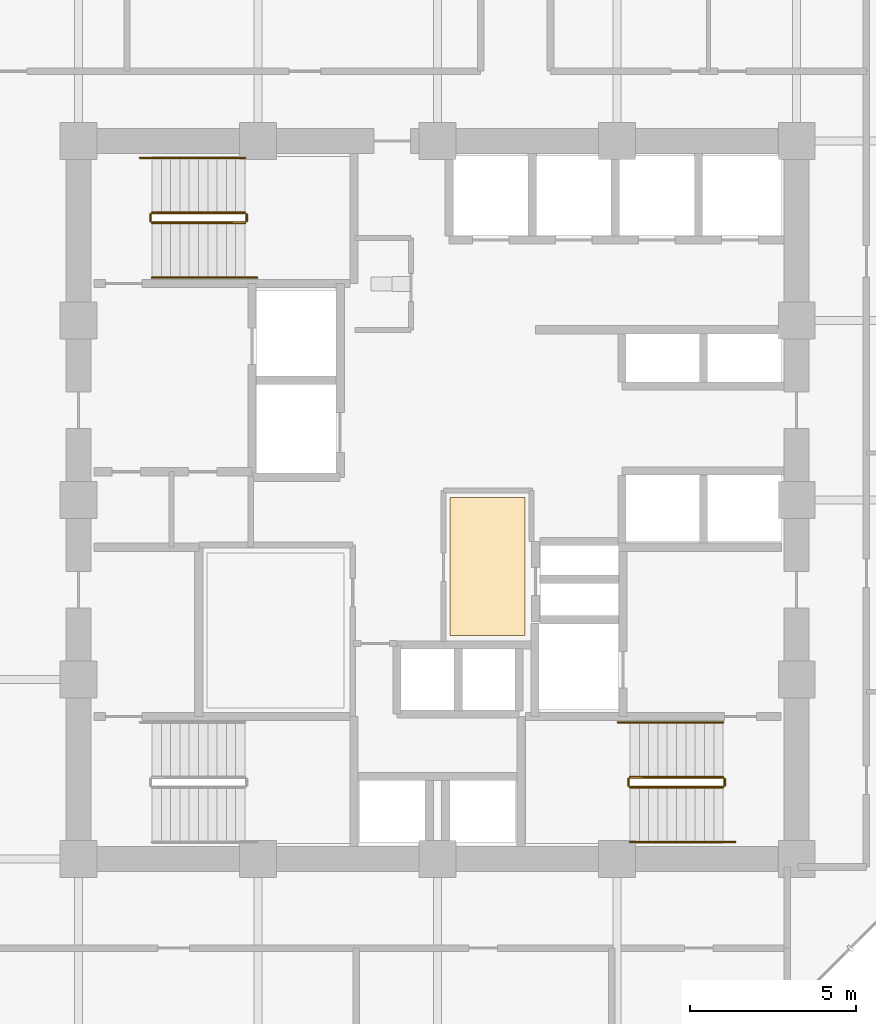
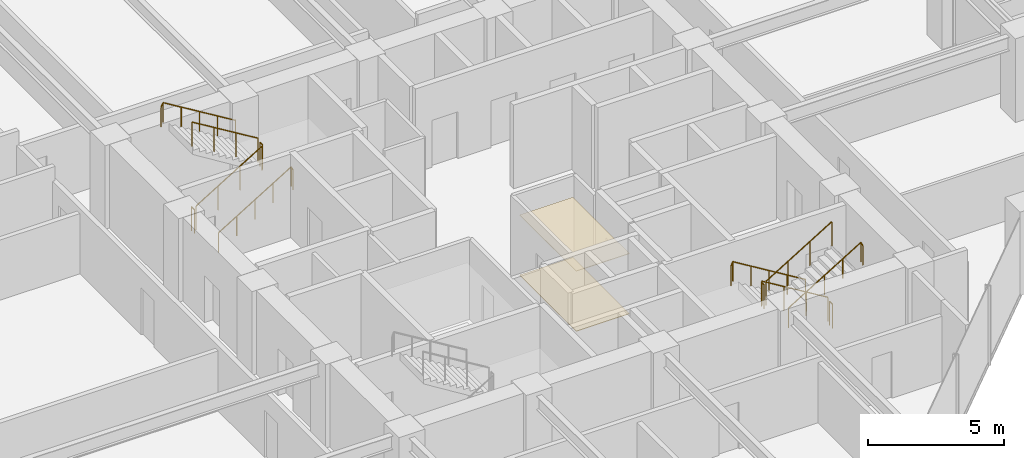
# One storey, part 27 of 29: 12 railings, 2 coverings.
"""IFC4 building model written with IfcOpenShell, lengths in metres."""

from ifc_helpers import new_model, si_unit, direction, frame, origin, origin_2d, place, context, subcontext, project, spatial, polyline, circle, outline, extrude, material, layer, layer_set, type_object, element, save


model = new_model("IFC4")

# Units and contexts
model_context = context("Model", 3, precision=1e-05, world=origin(), true_north=direction((0.0, 1.0)))
body_context = subcontext(model_context, "Body", "Model", "MODEL_VIEW")
ifc_project = project(units=[si_unit("LENGTHUNIT", "METRE"), si_unit("AREAUNIT", "SQUARE_METRE"), si_unit("VOLUMEUNIT", "CUBIC_METRE"), si_unit("PLANEANGLEUNIT", "RADIAN"), si_unit("MASSUNIT", "GRAM", prefix="KILO")], contexts=[model_context])

# Site, building, storey
site_placement = place(None, origin())
site = spatial("IfcSite", under=ifc_project, at=site_placement, CompositionType="ELEMENT")
building_placement = place(site_placement, origin())
building = spatial("IfcBuilding", under=site, at=building_placement, Name="Surkhivell Harbour Commons", CompositionType="ELEMENT")
storey_placement = place(building_placement, frame((0.0, 0.0, 87.0)))
storey = spatial("IfcBuildingStorey", under=building, at=storey_placement, Name="L22", CompositionType="ELEMENT", Elevation=87.0)

# Coverings
ifc_material_1 = material(Name="Perforated acoustic mineral-fibre ceiling tile", Category="other")
ifc_layer_1 = layer(ifc_material_1, 0.02490234375)
ifc_layer_set_1 = layer_set([ifc_layer_1], Name="Perforated acoustic mineral-fibre ceiling tile")
covering_type_1 = type_object("IfcCoveringType", Name="COV-CEIL-AC", PredefinedType="CEILING", material=ifc_layer_set_1)
covering_1_placement = place(storey_placement, frame((0.0, 0.0, 2.694091796875)))
element("IfcCovering", 1, at=covering_1_placement, inside=storey, type_object=covering_type_1, Name="L22 Suspended Acoustic Ceiling 1", PredefinedType="CEILING", context=body_context, shape_type="SweptSolid", body=[
    extrude(outline(polyline([(0.3701171875, -4.080078125), (2.6298828125, -4.080078125), (2.6298828125, 0.080078125), (0.3701171875, 0.080078125), (0.3701171875, -4.080078125)])), origin(), (0.0, 0.0, 1.0), 0.02490234375),
])
ifc_material_2 = material(Name="Engineered acoustic oak timber flooring", Category="wood")
ifc_layer_2 = layer(ifc_material_2, 0.02001953125)
ifc_layer_set_2 = layer_set([ifc_layer_2], Name="Engineered acoustic oak timber flooring")
covering_type_2 = type_object("IfcCoveringType", Name="COV-FLR-TIM", PredefinedType="FLOORING", material=ifc_layer_set_2)
covering_2_placement = place(storey_placement, origin())
element("IfcCovering", 2, at=covering_2_placement, inside=storey, type_object=covering_type_2, Name="L22 Interior Floor Finish 1", PredefinedType="FLOORING", context=body_context, shape_type="SweptSolid", body=[
    extrude(outline(polyline([(0.3701171875, -4.080078125), (2.6298828125, -4.080078125), (2.6298828125, 0.080078125), (0.3701171875, 0.080078125), (0.3701171875, -4.080078125)])), origin(), (0.0, 0.0, 1.0), 0.02001953125),
])

# Railings
ifc_material_3 = material(Name="Galvanised and painted steel S355 guard rail", Category="steel")
railing_type_1 = type_object("IfcRailingType", Name="RAL-ST-GRD1100", PredefinedType="GUARDRAIL", material=ifc_material_3)
railing_1_placement = place(storey_placement, frame((-8.590087890625, 8.340087890625, 0.17041015625)))
element("IfcRailing", 3, at=railing_1_placement, inside=storey, type_object=railing_type_1, Name="L22 ST1 stair guard 1", PredefinedType="GUARDRAIL", context=body_context, shape_type="SweptSolid", body=[
    extrude(circle(Radius=0.02392578125, at=origin_2d()), frame((0.0, 0.0, 1.076171875), z_axis=(0.854169791009, 0.0, 0.51999420009), x_axis=(0.0, 1.0, 0.0)), (0.0, 0.0, 1.0), 3.278076171875),
    extrude(circle(Radius=0.02099609375, at=origin_2d()), origin(), (0.0, 0.0, 1.0), 1.052001953125),
    extrude(circle(Radius=0.02099609375, at=origin_2d()), frame((0.933349609375, 0.0, 0.568115234375)), (0.0, 0.0, 1.0), 1.052001953125),
    extrude(circle(Radius=0.02099609375, at=origin_2d()), frame((1.86669921875, 0.0, 1.136474609375)), (0.0, 0.0, 1.0), 1.052001953125),
    extrude(circle(Radius=0.02099609375, at=origin_2d()), frame((2.800048828125, 0.0, 1.70458984375)), (0.0, 0.0, 1.0), 1.052001953125),
])
railing_2_placement = place(storey_placement, frame((-5.739990234375, 8.389892578125, 1.875)))
element("IfcRailing", 4, at=railing_2_placement, inside=storey, type_object=railing_type_1, Name="L22 ST1 stair guard 2", PredefinedType="GUARDRAIL", context=body_context, shape_type="SweptSolid", body=[
    extrude(circle(Radius=0.02392578125, at=origin_2d()), frame((0.0, 0.0, 1.076171875), z_axis=(0.0, 1.0, 0.0), x_axis=(-1.0, 0.0, 0.0)), (0.0, 0.0, 1.0), 0.2001953125),
    extrude(circle(Radius=0.02099609375, at=origin_2d()), origin(), (0.0, 0.0, 1.0), 1.052001953125),
    extrude(circle(Radius=0.02099609375, at=origin_2d()), frame((0.0, 0.2001953125, 0.0)), (0.0, 0.0, 1.0), 1.052001953125),
])
railing_3_placement = place(storey_placement, frame((-5.7900390625, 8.639892578125, 2.04541015625)))
element("IfcRailing", 5, at=railing_3_placement, inside=storey, type_object=railing_type_1, Name="L22 ST1 stair guard 3", PredefinedType="GUARDRAIL", context=body_context, shape_type="SweptSolid", body=[
    extrude(circle(Radius=0.02392578125, at=origin_2d()), frame((0.0, 0.0, 1.076171875), z_axis=(-0.854169791009, 0.0, 0.51999420009), x_axis=(0.0, -1.0, 0.0)), (0.0, 0.0, 1.0), 3.278076171875),
    extrude(circle(Radius=0.02099609375, at=origin_2d()), origin(), (0.0, 0.0, 1.0), 1.052001953125),
    extrude(circle(Radius=0.02099609375, at=origin_2d()), frame((-0.933349609375, 0.0, 0.568115234375)), (0.0, 0.0, 1.0), 1.052001953125),
    extrude(circle(Radius=0.02099609375, at=origin_2d()), frame((-1.86669921875, 0.0, 1.136474609375)), (0.0, 0.0, 1.0), 1.052001953125),
    extrude(circle(Radius=0.02099609375, at=origin_2d()), frame((-2.800048828125, 0.0, 1.70458984375)), (0.0, 0.0, 1.0), 1.052001953125),
])
railing_4_placement = place(storey_placement, frame((-8.639892578125, 8.389892578125, 0.0)))
element("IfcRailing", 6, at=railing_4_placement, inside=storey, type_object=railing_type_1, Name="L22 ST1 stair guard 4", PredefinedType="GUARDRAIL", context=body_context, shape_type="SweptSolid", body=[
    extrude(circle(Radius=0.02392578125, at=origin_2d()), frame((0.0, 0.0, 1.076171875), z_axis=(0.0, 1.0, 0.0), x_axis=(-1.0, 0.0, 0.0)), (0.0, 0.0, 1.0), 0.2001953125),
    extrude(circle(Radius=0.02099609375, at=origin_2d()), origin(), (0.0, 0.0, 1.0), 1.052001953125),
    extrude(circle(Radius=0.02099609375, at=origin_2d()), frame((0.0, 0.2001953125, 0.0)), (0.0, 0.0, 1.0), 1.052001953125),
])
railing_5_placement = place(storey_placement, frame((8.590087890625, -8.340087890625, 0.17041015625)))
element("IfcRailing", 7, at=railing_5_placement, inside=storey, type_object=railing_type_1, Name="L22 ST2 stair guard 1", PredefinedType="GUARDRAIL", context=body_context, shape_type="SweptSolid", body=[
    extrude(circle(Radius=0.02392578125, at=origin_2d()), frame((0.0, 0.0, 1.076171875), z_axis=(-0.854169791009, 0.0, 0.51999420009), x_axis=(0.0, -1.0, 0.0)), (0.0, 0.0, 1.0), 3.278076171875),
    extrude(circle(Radius=0.02099609375, at=origin_2d()), origin(), (0.0, 0.0, 1.0), 1.052001953125),
    extrude(circle(Radius=0.02099609375, at=origin_2d()), frame((-0.933349609375, 0.0, 0.568115234375)), (0.0, 0.0, 1.0), 1.052001953125),
    extrude(circle(Radius=0.02099609375, at=origin_2d()), frame((-1.86669921875, 0.0, 1.136474609375)), (0.0, 0.0, 1.0), 1.052001953125),
    extrude(circle(Radius=0.02099609375, at=origin_2d()), frame((-2.800048828125, 0.0, 1.70458984375)), (0.0, 0.0, 1.0), 1.052001953125),
])
railing_6_placement = place(storey_placement, frame((5.739990234375, -8.389892578125, 1.875)))
element("IfcRailing", 8, at=railing_6_placement, inside=storey, type_object=railing_type_1, Name="L22 ST2 stair guard 2", PredefinedType="GUARDRAIL", context=body_context, shape_type="SweptSolid", body=[
    extrude(circle(Radius=0.02392578125, at=origin_2d()), frame((0.0, 0.0, 1.076171875), z_axis=(0.0, -1.0, 0.0), x_axis=(1.0, 0.0, 0.0)), (0.0, 0.0, 1.0), 0.2001953125),
    extrude(circle(Radius=0.02099609375, at=origin_2d()), origin(), (0.0, 0.0, 1.0), 1.052001953125),
    extrude(circle(Radius=0.02099609375, at=origin_2d()), frame((0.0, -0.2001953125, 0.0)), (0.0, 0.0, 1.0), 1.052001953125),
])
railing_7_placement = place(storey_placement, frame((5.7900390625, -8.639892578125, 2.04541015625)))
element("IfcRailing", 9, at=railing_7_placement, inside=storey, type_object=railing_type_1, Name="L22 ST2 stair guard 3", PredefinedType="GUARDRAIL", context=body_context, shape_type="SweptSolid", body=[
    extrude(circle(Radius=0.02392578125, at=origin_2d()), frame((0.0, 0.0, 1.076171875), z_axis=(0.854169791009, 0.0, 0.51999420009), x_axis=(0.0, 1.0, 0.0)), (0.0, 0.0, 1.0), 3.278076171875),
    extrude(circle(Radius=0.02099609375, at=origin_2d()), origin(), (0.0, 0.0, 1.0), 1.052001953125),
    extrude(circle(Radius=0.02099609375, at=origin_2d()), frame((0.933349609375, 0.0, 0.568115234375)), (0.0, 0.0, 1.0), 1.052001953125),
    extrude(circle(Radius=0.02099609375, at=origin_2d()), frame((1.86669921875, 0.0, 1.136474609375)), (0.0, 0.0, 1.0), 1.052001953125),
    extrude(circle(Radius=0.02099609375, at=origin_2d()), frame((2.800048828125, 0.0, 1.70458984375)), (0.0, 0.0, 1.0), 1.052001953125),
])
railing_8_placement = place(storey_placement, frame((8.639892578125, -8.389892578125, 0.0)))
element("IfcRailing", 10, at=railing_8_placement, inside=storey, type_object=railing_type_1, Name="L22 ST2 stair guard 4", PredefinedType="GUARDRAIL", context=body_context, shape_type="SweptSolid", body=[
    extrude(circle(Radius=0.02392578125, at=origin_2d()), frame((0.0, 0.0, 1.076171875), z_axis=(0.0, -1.0, 0.0), x_axis=(1.0, 0.0, 0.0)), (0.0, 0.0, 1.0), 0.2001953125),
    extrude(circle(Radius=0.02099609375, at=origin_2d()), origin(), (0.0, 0.0, 1.0), 1.052001953125),
    extrude(circle(Radius=0.02099609375, at=origin_2d()), frame((0.0, -0.2001953125, 0.0)), (0.0, 0.0, 1.0), 1.052001953125),
])
ifc_material_4 = material(Name="Brushed stainless steel S355 handrail", Category="steel")
railing_type_2 = type_object("IfcRailingType", Name="RAL-ST-HND900", PredefinedType="HANDRAIL", material=ifc_material_4)
railing_9_placement = place(storey_placement, frame((-8.590087890625, 6.68994140625, 0.17041015625)))
element("IfcRailing", 11, at=railing_9_placement, inside=storey, type_object=railing_type_2, Name="L22 ST1 stair handrail 1", PredefinedType="HANDRAIL", context=body_context, shape_type="SweptSolid", body=[
    extrude(circle(Radius=0.02392578125, at=origin_2d()), frame((0.0, 0.0, 0.8759765625), z_axis=(0.854177636135, 0.0, 0.519981313056), x_axis=(0.0, 1.0, 0.0)), (0.0, 0.0, 1.0), 3.60595703125),
    extrude(circle(Radius=0.02392578125, at=origin_2d()), frame((3.080078125, 0.0, 2.7509765625), z_axis=(0.425297416671, 0.0, -0.905053648892), x_axis=(0.0, 1.0, 0.0)), (0.0, 0.0, 1.0), 0.188232421875),
    extrude(circle(Radius=0.02099609375, at=origin_2d()), origin(), (0.0, 0.0, 1.0), 0.851806640625),
    extrude(circle(Radius=0.02099609375, at=origin_2d()), frame((0.77001953125, 0.0, 0.46875)), (0.0, 0.0, 1.0), 0.851806640625),
    extrude(circle(Radius=0.02099609375, at=origin_2d()), frame((1.5400390625, 0.0, 0.9375)), (0.0, 0.0, 1.0), 0.851806640625),
    extrude(circle(Radius=0.02099609375, at=origin_2d()), frame((2.31005859375, 0.0, 1.40625)), (0.0, 0.0, 1.0), 0.851806640625),
    extrude(circle(Radius=0.02099609375, at=origin_2d()), frame((3.080078125, 0.0, 1.875)), (0.0, 0.0, 1.0), 0.851806640625),
    extrude(circle(Radius=0.02099609375, at=origin_2d()), frame((3.16015625, 0.0, 1.70458984375)), (0.0, 0.0, 1.0), 0.851806640625),
])
railing_10_placement = place(storey_placement, frame((-5.7900390625, 10.2900390625, 2.04541015625)))
element("IfcRailing", 12, at=railing_10_placement, inside=storey, type_object=railing_type_2, Name="L22 ST1 stair handrail 2", PredefinedType="HANDRAIL", context=body_context, shape_type="SweptSolid", body=[
    extrude(circle(Radius=0.02392578125, at=origin_2d()), frame((0.0, 0.0, 0.8759765625), z_axis=(-0.854177636135, 0.0, 0.519981313056), x_axis=(0.0, -1.0, 0.0)), (0.0, 0.0, 1.0), 3.60595703125),
    extrude(circle(Radius=0.02392578125, at=origin_2d()), frame((-3.080078125, 0.0, 2.7509765625), z_axis=(-0.424234432967, 0.0, -0.905552398199), x_axis=(0.0, -1.0, 0.0)), (0.0, 0.0, 1.0), 0.188232421875),
    extrude(circle(Radius=0.02099609375, at=origin_2d()), origin(), (0.0, 0.0, 1.0), 0.851806640625),
    extrude(circle(Radius=0.02099609375, at=origin_2d()), frame((-0.77001953125, 0.0, 0.46875)), (0.0, 0.0, 1.0), 0.851806640625),
    extrude(circle(Radius=0.02099609375, at=origin_2d()), frame((-1.5400390625, 0.0, 0.9375)), (0.0, 0.0, 1.0), 0.851806640625),
    extrude(circle(Radius=0.02099609375, at=origin_2d()), frame((-2.31005859375, 0.0, 1.40625)), (0.0, 0.0, 1.0), 0.851806640625),
    extrude(circle(Radius=0.02099609375, at=origin_2d()), frame((-3.080078125, 0.0, 1.875)), (0.0, 0.0, 1.0), 0.851806640625),
    extrude(circle(Radius=0.02099609375, at=origin_2d()), frame((-3.159912109375, 0.0, 1.70458984375)), (0.0, 0.0, 1.0), 0.851806640625),
])
railing_11_placement = place(storey_placement, frame((8.590087890625, -6.68994140625, 0.17041015625)))
element("IfcRailing", 13, at=railing_11_placement, inside=storey, type_object=railing_type_2, Name="L22 ST2 stair handrail 1", PredefinedType="HANDRAIL", context=body_context, shape_type="SweptSolid", body=[
    extrude(circle(Radius=0.02392578125, at=origin_2d()), frame((0.0, 0.0, 0.8759765625), z_axis=(-0.854177636135, 0.0, 0.519981313056), x_axis=(0.0, -1.0, 0.0)), (0.0, 0.0, 1.0), 3.60595703125),
    extrude(circle(Radius=0.02392578125, at=origin_2d()), frame((-3.080078125, 0.0, 2.7509765625), z_axis=(-0.425297416671, 0.0, -0.905053648892), x_axis=(0.0, -1.0, 0.0)), (0.0, 0.0, 1.0), 0.188232421875),
    extrude(circle(Radius=0.02099609375, at=origin_2d()), origin(), (0.0, 0.0, 1.0), 0.851806640625),
    extrude(circle(Radius=0.02099609375, at=origin_2d()), frame((-0.77001953125, 0.0, 0.46875)), (0.0, 0.0, 1.0), 0.851806640625),
    extrude(circle(Radius=0.02099609375, at=origin_2d()), frame((-1.5400390625, 0.0, 0.9375)), (0.0, 0.0, 1.0), 0.851806640625),
    extrude(circle(Radius=0.02099609375, at=origin_2d()), frame((-2.31005859375, 0.0, 1.40625)), (0.0, 0.0, 1.0), 0.851806640625),
    extrude(circle(Radius=0.02099609375, at=origin_2d()), frame((-3.080078125, 0.0, 1.875)), (0.0, 0.0, 1.0), 0.851806640625),
    extrude(circle(Radius=0.02099609375, at=origin_2d()), frame((-3.16015625, 0.0, 1.70458984375)), (0.0, 0.0, 1.0), 0.851806640625),
])
railing_12_placement = place(storey_placement, frame((5.7900390625, -10.2900390625, 2.04541015625)))
element("IfcRailing", 14, at=railing_12_placement, inside=storey, type_object=railing_type_2, Name="L22 ST2 stair handrail 2", PredefinedType="HANDRAIL", context=body_context, shape_type="SweptSolid", body=[
    extrude(circle(Radius=0.02392578125, at=origin_2d()), frame((0.0, 0.0, 0.8759765625), z_axis=(0.854177636135, 0.0, 0.519981313056), x_axis=(0.0, 1.0, 0.0)), (0.0, 0.0, 1.0), 3.60595703125),
    extrude(circle(Radius=0.02392578125, at=origin_2d()), frame((3.080078125, 0.0, 2.7509765625), z_axis=(0.424234432967, 0.0, -0.905552398199), x_axis=(0.0, 1.0, 0.0)), (0.0, 0.0, 1.0), 0.188232421875),
    extrude(circle(Radius=0.02099609375, at=origin_2d()), origin(), (0.0, 0.0, 1.0), 0.851806640625),
    extrude(circle(Radius=0.02099609375, at=origin_2d()), frame((0.77001953125, 0.0, 0.46875)), (0.0, 0.0, 1.0), 0.851806640625),
    extrude(circle(Radius=0.02099609375, at=origin_2d()), frame((1.5400390625, 0.0, 0.9375)), (0.0, 0.0, 1.0), 0.851806640625),
    extrude(circle(Radius=0.02099609375, at=origin_2d()), frame((2.31005859375, 0.0, 1.40625)), (0.0, 0.0, 1.0), 0.851806640625),
    extrude(circle(Radius=0.02099609375, at=origin_2d()), frame((3.080078125, 0.0, 1.875)), (0.0, 0.0, 1.0), 0.851806640625),
    extrude(circle(Radius=0.02099609375, at=origin_2d()), frame((3.159912109375, 0.0, 1.70458984375)), (0.0, 0.0, 1.0), 0.851806640625),
])

save(model, "model.ifc")
